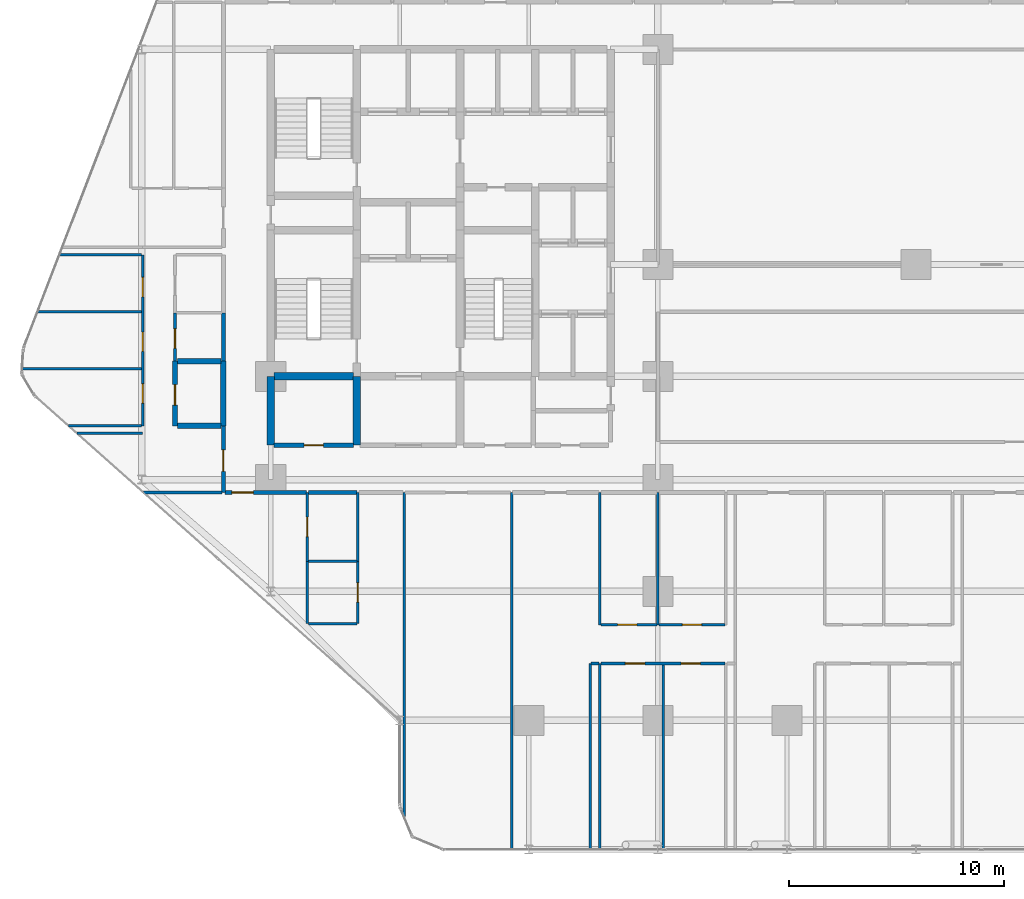
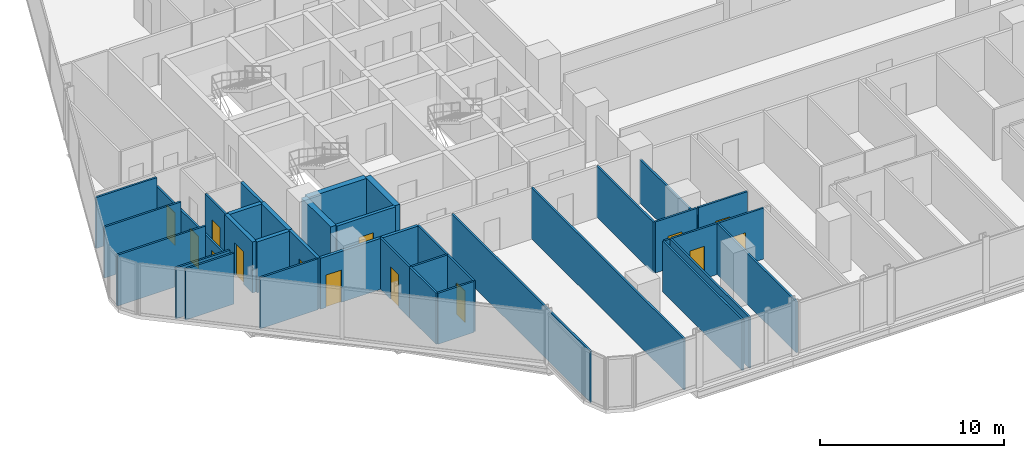
# One storey, part 26 of 33: 37 walls, 14 doors, 14 openings.
"""IFC4 building model written with IfcOpenShell, lengths in metres."""

from ifc_helpers import new_model, si_unit, direction, frame, frame_2d, origin, place, context, subcontext, project, spatial, rectangle, extrude, material, layer, layer_set, type_object, element, fill, save


model = new_model("IFC4")

# Units and contexts
model_context = context("Model", 3, precision=1e-05, world=origin(), true_north=direction((0.0, 1.0)))
body_context = subcontext(model_context, "Body", "Model", "MODEL_VIEW")
ifc_project = project(units=[si_unit("LENGTHUNIT", "METRE"), si_unit("AREAUNIT", "SQUARE_METRE"), si_unit("VOLUMEUNIT", "CUBIC_METRE"), si_unit("PLANEANGLEUNIT", "RADIAN"), si_unit("MASSUNIT", "GRAM", prefix="KILO")], contexts=[model_context])

# Site, building, storey
site_placement = place(None, origin())
site = spatial("IfcSite", under=ifc_project, at=site_placement, CompositionType="ELEMENT")
building_placement = place(site_placement, origin())
building = spatial("IfcBuilding", under=site, at=building_placement, Name="Keshet Zoharim Tower", CompositionType="ELEMENT")
storey_placement = place(building_placement, frame((0.0, 0.0, 42.5)))
storey = spatial("IfcBuildingStorey", under=building, at=storey_placement, Name="L09", CompositionType="ELEMENT", Elevation=42.5)

# Walls
ifc_material_1 = material(Name="Concrete C60/75", Category="concrete")
ifc_layer_1 = layer(ifc_material_1, 0.35009765625)
ifc_layer_set_1 = layer_set([ifc_layer_1], Name="Concrete C60/75")
wall_type_1 = type_object("IfcWallType", Name="WL-CORE-350", PredefinedType="SHEAR", material=ifc_layer_set_1)
for number, where, z_axis, x_axis, name in (
    (1, (15.0, 19.5, 0.0), (0.0, 0.0, 1.0), (0.0, 1.0, 0.0), "L09 Core Shear Wall 013"),
    (2, (19.0, 19.5, 0.0), (0.0, 0.0, 1.0), (0.0, 1.0, 0.0), "L09 Core Shear Wall 021"),
):
    element("IfcWall", number, at=place(storey_placement, frame(where, z_axis=z_axis, x_axis=x_axis)), inside=storey, type_object=wall_type_1, Name=name, PredefinedType="SHEAR", context=body_context, shape_type="SweptSolid", body=[
        extrude(rectangle(XDim=3.199951171875, YDim=0.35009765625, at=frame_2d((1.60009765625, 0.0))), origin(), (0.0, 0.0, 1.0), 3.385009765625),
    ])
wall_1_placement = place(storey_placement, frame((15.159912109375, 22.699951171875, 0.0), z_axis=(0.0, 0.0, 1.0), x_axis=(1.0, 0.0, 0.0)))
element("IfcWall", 3, at=wall_1_placement, inside=storey, type_object=wall_type_1, Name="L09 Core Shear Wall 169", PredefinedType="SHEAR", context=body_context, shape_type="SweptSolid", body=[
    extrude(rectangle(XDim=3.68017578125, YDim=0.35009765625, at=frame_2d((1.840087890625, 0.0))), origin(), (0.0, 0.0, 1.0), 3.385009765625),
])

# Wall, opening, door
ifc_material_2 = material(Name="Gypsum Plasterboard", Category="gypsum")
ifc_layer_2 = layer(ifc_material_2, 0.179931640625)
ifc_layer_set_2 = layer_set([ifc_layer_2], Name="Gypsum Plasterboard")
wall_type_2 = type_object("IfcWallType", Name="WL-CORR-180", PredefinedType="STANDARD", material=ifc_layer_set_2)
wall_2_placement = place(storey_placement, frame((12.800048828125, 17.300048828125, 0.0), z_axis=(0.0, 0.0, 1.0), x_axis=(0.0, 1.0, 0.0)))
wall_2 = element("IfcWall", 4, at=wall_2_placement, inside=storey, type_object=wall_type_2, Name="L09 Interior Wall 007", PredefinedType="STANDARD", context=body_context, shape_type="SweptSolid", body=[
    extrude(rectangle(XDim=3.099853515625, YDim=0.179931640625, at=frame_2d((1.5498046875, 0.0))), origin(), (0.0, 0.0, 1.0), 3.385009765625),
])
opening_1_placement = place(wall_2_placement, frame((0.97802734375, 0.0, 0.0)))
opening_1 = element("IfcOpeningElement", 5, at=opening_1_placement, cuts=wall_2, Name="Opening D-F310", PredefinedType="OPENING", context=body_context, shape_type="SweptSolid", body=[
    extrude(rectangle(XDim=1.0, YDim=2.14990234375, at=frame_2d((0.5, 1.074951171875))), frame((0.0, 0.10009765625, 0.0), z_axis=(0.0, -1.0, 0.0), x_axis=(1.0, 0.0, 0.0)), (0.0, 0.0, 1.0), 0.199951171875),
])
ifc_material_3 = material(Name="Hardwood Timber", Category="wood")
door_type_1 = type_object("IfcDoorType", Name="DR-FD30-100", OperationType="NOTDEFINED", PredefinedType="DOOR", material=ifc_material_3)
door_1_placement = place(opening_1_placement, origin())
door_1 = element("IfcDoor", 6, at=door_1_placement, inside=storey, type_object=door_type_1, Name="Apartment 0910 Entrance Door", OperationType="SINGLE_SWING_RIGHT", OverallHeight=2.14990234375, OverallWidth=1.0, PredefinedType="DOOR", context=body_context, shape_type="SweptSolid", body=[
    extrude(rectangle(XDim=1.0, YDim=2.14990234375, at=frame_2d((0.5, 1.074951171875))), frame((0.0, 0.02490234375, 0.0), z_axis=(0.0, -1.0, 0.0), x_axis=(1.0, 0.0, 0.0)), (0.0, 0.0, 1.0), 0.050048828125),
])
fill(opening_1, door_1)

# Wall
wall_3_placement = place(storey_placement, frame((12.800048828125, 23.4208984375, 0.0), z_axis=(0.0, 0.0, 1.0), x_axis=(0.0, 1.0, 0.0)))
element("IfcWall", 7, at=wall_3_placement, inside=storey, type_object=wall_type_2, Name="L09 Interior Wall 009", PredefinedType="STANDARD", context=body_context, shape_type="SweptSolid", body=[
    extrude(rectangle(XDim=2.22607421875, YDim=0.179931640625, at=frame_2d((1.113037109375, 0.0))), origin(), (0.0, 0.0, 1.0), 3.385009765625),
])

# Wall, opening, door
wall_4_placement = place(storey_placement, frame((12.875, 17.300048828125, 0.0), z_axis=(0.0, 0.0, 1.0), x_axis=(1.0, 0.0, 0.0)))
wall_4 = element("IfcWall", 8, at=wall_4_placement, inside=storey, type_object=wall_type_2, Name="L09 Interior Wall 142", PredefinedType="STANDARD", context=body_context, shape_type="SweptSolid", body=[
    extrude(rectangle(XDim=3.780029296875, YDim=0.179931640625, at=frame_2d((1.89013671875, 0.0))), origin(), (0.0, 0.0, 1.0), 3.385009765625),
])
opening_2_placement = place(wall_4_placement, frame((0.31689453125, 0.0, 0.0)))
opening_2 = element("IfcOpeningElement", 9, at=opening_2_placement, cuts=wall_4, Name="Opening D-F310", PredefinedType="OPENING", context=body_context, shape_type="SweptSolid", body=[
    extrude(rectangle(XDim=1.0, YDim=2.14990234375, at=frame_2d((0.5, 1.074951171875))), frame((0.0, 0.10009765625, 0.0), z_axis=(0.0, -1.0, 0.0), x_axis=(1.0, 0.0, 0.0)), (0.0, 0.0, 1.0), 0.199951171875),
])
door_2_placement = place(opening_2_placement, origin())
door_2 = element("IfcDoor", 10, at=door_2_placement, inside=storey, type_object=door_type_1, Name="Apartment 0901 Entrance Door", OperationType="SINGLE_SWING_RIGHT", OverallHeight=2.14990234375, OverallWidth=1.0, PredefinedType="DOOR", context=body_context, shape_type="SweptSolid", body=[
    extrude(rectangle(XDim=1.0, YDim=2.14990234375, at=frame_2d((0.5, 1.074951171875))), frame((0.0, 0.02490234375, 0.0), z_axis=(0.0, -1.0, 0.0), x_axis=(1.0, 0.0, 0.0)), (0.0, 0.0, 1.0), 0.050048828125),
])
fill(opening_2, door_2)

# Wall
wall_5_placement = place(storey_placement, frame((16.7451171875, 17.300048828125, 0.0), z_axis=(0.0, 0.0, 1.0), x_axis=(1.0, 0.0, 0.0)))
element("IfcWall", 11, at=wall_5_placement, inside=storey, type_object=wall_type_2, Name="L09 Interior Wall 143", PredefinedType="STANDARD", context=body_context, shape_type="SweptSolid", body=[
    extrude(rectangle(XDim=2.259765625, YDim=0.179931640625, at=frame_2d((1.1298828125, 0.0))), origin(), (0.0, 0.0, 1.0), 3.385009765625),
])

# Wall, opening, door
ifc_material_4 = material(Name="Concrete C50/60", Category="concrete")
ifc_layer_3 = layer(ifc_material_4, 0.199951171875)
ifc_layer_set_3 = layer_set([ifc_layer_3], Name="Concrete C50/60")
wall_type_3 = type_object("IfcWallType", Name="WL-FIRE-200", PredefinedType="STANDARD", material=ifc_layer_set_3)
wall_6_placement = place(storey_placement, frame((15.159912109375, 19.5, 0.0), z_axis=(0.0, 0.0, 1.0), x_axis=(1.0, 0.0, 0.0)))
wall_6 = element("IfcWall", 12, at=wall_6_placement, inside=storey, type_object=wall_type_3, Name="L09 Interior Wall 160", PredefinedType="STANDARD", context=body_context, shape_type="SweptSolid", body=[
    extrude(rectangle(XDim=3.68017578125, YDim=0.199951171875, at=frame_2d((1.840087890625, 0.0))), origin(), (0.0, 0.0, 1.0), 3.385009765625),
])
opening_3_placement = place(wall_6_placement, frame((1.389892578125, 0.0, 0.0)))
opening_3 = element("IfcOpeningElement", 13, at=opening_3_placement, cuts=wall_6, Name="Opening D-F690", PredefinedType="OPENING", context=body_context, shape_type="SweptSolid", body=[
    extrude(rectangle(XDim=0.89990234375, YDim=2.14990234375, at=frame_2d((0.449951171875, 1.074951171875))), frame((0.0, 0.10986328125, 0.0), z_axis=(0.0, -1.0, 0.0), x_axis=(1.0, 0.0, 0.0)), (0.0, 0.0, 1.0), 0.219970703125),
])
door_type_2 = type_object("IfcDoorType", Name="DR-FD60-090", OperationType="NOTDEFINED", PredefinedType="DOOR", material=ifc_material_3)
door_3_placement = place(opening_3_placement, origin())
door_3 = element("IfcDoor", 14, at=door_3_placement, inside=storey, type_object=door_type_2, Name="L09 Refuse Store Door", OperationType="SINGLE_SWING_RIGHT", OverallHeight=2.14990234375, OverallWidth=0.89990234375, PredefinedType="DOOR", context=body_context, shape_type="SweptSolid", body=[
    extrude(rectangle(XDim=0.89990234375, YDim=2.14990234375, at=frame_2d((0.449951171875, 1.074951171875))), frame((0.0, 0.02490234375, 0.0), z_axis=(0.0, -1.0, 0.0), x_axis=(1.0, 0.0, 0.0)), (0.0, 0.0, 1.0), 0.050048828125),
])
fill(opening_3, door_3)

ifc_layer_4 = layer(ifc_material_4, 0.25)
ifc_layer_set_4 = layer_set([ifc_layer_4], Name="Concrete C50/60")
wall_type_4 = type_object("IfcWallType", Name="WL-MAMAD-250", PredefinedType="STANDARD", material=ifc_layer_set_4)
wall_7_placement = place(storey_placement, frame((10.550048828125, 20.39990234375, 0.0), z_axis=(0.0, 0.0, 1.0), x_axis=(0.0, 1.0, 0.0)))
wall_7 = element("IfcWall", 15, at=wall_7_placement, inside=storey, type_object=wall_type_4, Name="L09 Interior Wall 004", PredefinedType="STANDARD", context=body_context, shape_type="SweptSolid", body=[
    extrude(rectangle(XDim=3.02099609375, YDim=0.25, at=frame_2d((1.510498046875, 0.0))), origin(), (0.0, 0.0, 1.0), 3.385009765625),
])
opening_4_placement = place(wall_7_placement, frame((0.964111328125, 0.0, 0.0)))
opening_4 = element("IfcOpeningElement", 16, at=opening_4_placement, cuts=wall_7, Name="Opening D-F695", PredefinedType="OPENING", context=body_context, shape_type="SweptSolid", body=[
    extrude(rectangle(XDim=0.949951171875, YDim=2.14990234375, at=frame_2d((0.47509765625, 1.074951171875))), frame((0.0, 0.135009765625, 0.0), z_axis=(0.0, -1.0, 0.0), x_axis=(1.0, 0.0, 0.0)), (0.0, 0.0, 1.0), 0.27001953125),
])
door_type_3 = type_object("IfcDoorType", Name="DR-FD60-095", OperationType="NOTDEFINED", PredefinedType="DOOR", material=ifc_material_3)
door_4_placement = place(opening_4_placement, origin())
door_4 = element("IfcDoor", 17, at=door_4_placement, inside=storey, type_object=door_type_3, Name="Apartment 0910 Study and Shelter Room Door", OperationType="SINGLE_SWING_LEFT", OverallHeight=2.14990234375, OverallWidth=0.949951171875, PredefinedType="DOOR", context=body_context, shape_type="SweptSolid", body=[
    extrude(rectangle(XDim=0.949951171875, YDim=2.14990234375, at=frame_2d((0.47509765625, 1.074951171875))), frame((0.0, 0.02490234375, 0.0), z_axis=(0.0, -1.0, 0.0), x_axis=(1.0, 0.0, 0.0)), (0.0, 0.0, 1.0), 0.050048828125),
])
fill(opening_4, door_4)

# Walls
wall_8_placement = place(storey_placement, frame((12.800048828125, 20.39990234375, 0.0), z_axis=(0.0, 0.0, 1.0), x_axis=(0.0, 1.0, 0.0)))
element("IfcWall", 18, at=wall_8_placement, inside=storey, type_object=wall_type_4, Name="L09 Interior Wall 008", PredefinedType="STANDARD", context=body_context, shape_type="SweptSolid", body=[
    extrude(rectangle(XDim=3.02099609375, YDim=0.25, at=frame_2d((1.510498046875, 0.0))), origin(), (0.0, 0.0, 1.0), 3.385009765625),
])
for number, where, z_axis, x_axis, name in (
    (19, (10.659912109375, 20.39990234375, 0.0), (0.0, 0.0, 1.0), (1.0, 0.0, 0.0), "L09 Interior Wall 167"),
    (20, (10.659912109375, 23.39990234375, 0.0), (0.0, 0.0, 1.0), (1.0, 0.0, 0.0), "L09 Interior Wall 174"),
):
    element("IfcWall", number, at=place(storey_placement, frame(where, z_axis=z_axis, x_axis=x_axis)), inside=storey, type_object=wall_type_4, Name=name, PredefinedType="STANDARD", context=body_context, shape_type="SweptSolid", body=[
        extrude(rectangle(XDim=2.030029296875, YDim=0.25, at=frame_2d((1.01513671875, 0.0))), origin(), (0.0, 0.0, 1.0), 3.385009765625),
    ])

# Wall, openings, doors
ifc_layer_5 = layer(ifc_material_2, 0.1201171875)
ifc_layer_set_5 = layer_set([ifc_layer_5], Name="Gypsum Plasterboard")
wall_type_5 = type_object("IfcWallType", Name="WL-PART-120", PredefinedType="PARTITIONING", material=ifc_layer_set_5)
wall_9_placement = place(storey_placement, frame((9.050048828125, 20.39990234375, 0.0), z_axis=(0.0, 0.0, 1.0), x_axis=(0.0, 1.0, 0.0)))
wall_9 = element("IfcWall", 21, at=wall_9_placement, inside=storey, type_object=wall_type_5, Name="L09 Interior Wall 002", PredefinedType="PARTITIONING", context=body_context, shape_type="SweptSolid", body=[
    extrude(rectangle(XDim=7.9501953125, YDim=0.1201171875, at=frame_2d((3.97509765625, 0.0))), origin(), (0.0, 0.0, 1.0), 2.784912109375),
])
opening_5_placement = place(wall_9_placement, frame((1.050048828125, 0.0, 0.0)))
opening_5 = element("IfcOpeningElement", 22, at=opening_5_placement, cuts=wall_9, Name="Opening D-IN90", PredefinedType="OPENING", context=body_context, shape_type="SweptSolid", body=[
    extrude(rectangle(XDim=0.89990234375, YDim=2.14990234375, at=frame_2d((0.449951171875, 1.074951171875))), frame((0.0, 0.070068359375, 0.0), z_axis=(0.0, -1.0, 0.0), x_axis=(1.0, 0.0, 0.0)), (0.0, 0.0, 1.0), 0.14013671875),
])
opening_6_placement = place(wall_9_placement, frame((3.455078125, 0.0, 0.0)))
opening_6 = element("IfcOpeningElement", 23, at=opening_6_placement, cuts=wall_9, Name="Opening D-IN90", PredefinedType="OPENING", context=body_context, shape_type="SweptSolid", body=[
    extrude(rectangle(XDim=0.89990234375, YDim=2.14990234375, at=frame_2d((0.449951171875, 1.074951171875))), frame((0.0, 0.070068359375, 0.0), z_axis=(0.0, -1.0, 0.0), x_axis=(1.0, 0.0, 0.0)), (0.0, 0.0, 1.0), 0.14013671875),
])
opening_7_placement = place(wall_9_placement, frame((6.0, 0.0, 0.0)))
opening_7 = element("IfcOpeningElement", 24, at=opening_7_placement, cuts=wall_9, Name="Opening D-IN90", PredefinedType="OPENING", context=body_context, shape_type="SweptSolid", body=[
    extrude(rectangle(XDim=0.89990234375, YDim=2.14990234375, at=frame_2d((0.449951171875, 1.074951171875))), frame((0.0, 0.070068359375, 0.0), z_axis=(0.0, -1.0, 0.0), x_axis=(1.0, 0.0, 0.0)), (0.0, 0.0, 1.0), 0.14013671875),
])
door_type_4 = type_object("IfcDoorType", Name="DR-INT-090", OperationType="NOTDEFINED", PredefinedType="DOOR", material=ifc_material_3)
door_5_placement = place(opening_5_placement, origin())
door_5 = element("IfcDoor", 25, at=door_5_placement, inside=storey, type_object=door_type_4, Name="Apartment 0910 Bedroom 1 Door", OperationType="SINGLE_SWING_RIGHT", OverallHeight=2.14990234375, OverallWidth=0.89990234375, PredefinedType="DOOR", context=body_context, shape_type="SweptSolid", body=[
    extrude(rectangle(XDim=0.89990234375, YDim=2.14990234375, at=frame_2d((0.449951171875, 1.074951171875))), frame((0.0, 0.02490234375, 0.0), z_axis=(0.0, -1.0, 0.0), x_axis=(1.0, 0.0, 0.0)), (0.0, 0.0, 1.0), 0.050048828125),
])
fill(opening_5, door_5)
door_6_placement = place(opening_6_placement, origin())
door_6 = element("IfcDoor", 26, at=door_6_placement, inside=storey, type_object=door_type_4, Name="Apartment 0910 Bedroom 2 Door", OperationType="SINGLE_SWING_LEFT", OverallHeight=2.14990234375, OverallWidth=0.89990234375, PredefinedType="DOOR", context=body_context, shape_type="SweptSolid", body=[
    extrude(rectangle(XDim=0.89990234375, YDim=2.14990234375, at=frame_2d((0.449951171875, 1.074951171875))), frame((0.0, 0.02490234375, 0.0), z_axis=(0.0, -1.0, 0.0), x_axis=(1.0, 0.0, 0.0)), (0.0, 0.0, 1.0), 0.050048828125),
])
fill(opening_6, door_6)
door_7_placement = place(opening_7_placement, origin())
door_7 = element("IfcDoor", 27, at=door_7_placement, inside=storey, type_object=door_type_4, Name="Apartment 0910 Bedroom 3 Door", OperationType="SINGLE_SWING_RIGHT", OverallHeight=2.14990234375, OverallWidth=0.89990234375, PredefinedType="DOOR", context=body_context, shape_type="SweptSolid", body=[
    extrude(rectangle(XDim=0.89990234375, YDim=2.14990234375, at=frame_2d((0.449951171875, 1.074951171875))), frame((0.0, 0.02490234375, 0.0), z_axis=(0.0, -1.0, 0.0), x_axis=(1.0, 0.0, 0.0)), (0.0, 0.0, 1.0), 0.050048828125),
])
fill(opening_7, door_7)

# Wall, opening, door
wall_10_placement = place(storey_placement, frame((16.699951171875, 14.10009765625, 0.0), z_axis=(0.0, 0.0, 1.0), x_axis=(0.0, 1.0, 0.0)))
wall_10 = element("IfcWall", 28, at=wall_10_placement, inside=storey, type_object=wall_type_5, Name="L09 Interior Wall 018", PredefinedType="PARTITIONING", context=body_context, shape_type="SweptSolid", body=[
    extrude(rectangle(XDim=3.199951171875, YDim=0.1201171875, at=frame_2d((1.60009765625, 0.0))), origin(), (0.0, 0.0, 1.0), 3.385009765625),
])
opening_8_placement = place(wall_10_placement, frame((1.14990234375, 0.0, 0.0)))
opening_8 = element("IfcOpeningElement", 29, at=opening_8_placement, cuts=wall_10, Name="Opening D-IN90", PredefinedType="OPENING", context=body_context, shape_type="SweptSolid", body=[
    extrude(rectangle(XDim=0.89990234375, YDim=2.14990234375, at=frame_2d((0.449951171875, 1.074951171875))), frame((0.0, 0.070068359375, 0.0), z_axis=(0.0, -1.0, 0.0), x_axis=(1.0, 0.0, 0.0)), (0.0, 0.0, 1.0), 0.14013671875),
])
door_8_placement = place(opening_8_placement, origin())
door_8 = element("IfcDoor", 30, at=door_8_placement, inside=storey, type_object=door_type_4, Name="Apartment 0901 Kitchenette Door", OperationType="SINGLE_SWING_LEFT", OverallHeight=2.14990234375, OverallWidth=0.89990234375, PredefinedType="DOOR", context=body_context, shape_type="SweptSolid", body=[
    extrude(rectangle(XDim=0.89990234375, YDim=2.14990234375, at=frame_2d((0.449951171875, 1.074951171875))), frame((0.0, 0.02490234375, 0.0), z_axis=(0.0, -1.0, 0.0), x_axis=(1.0, 0.0, 0.0)), (0.0, 0.0, 1.0), 0.050048828125),
])
fill(opening_8, door_8)

# Walls
wall_11_placement = place(storey_placement, frame((19.050048828125, 14.10009765625, 0.0), z_axis=(0.0, 0.0, 1.0), x_axis=(0.0, 1.0, 0.0)))
element("IfcWall", 31, at=wall_11_placement, inside=storey, type_object=wall_type_5, Name="L09 Interior Wall 027", PredefinedType="PARTITIONING", context=body_context, shape_type="SweptSolid", body=[
    extrude(rectangle(XDim=3.199951171875, YDim=0.1201171875, at=frame_2d((1.60009765625, 0.0))), origin(), (0.0, 0.0, 1.0), 3.385009765625),
])
wall_12_placement = place(storey_placement, frame((21.199951171875, 2.22705078125, 0.0), z_axis=(0.0, 0.0, 1.0), x_axis=(0.0, 1.0, 0.0)))
element("IfcWall", 32, at=wall_12_placement, inside=storey, type_object=wall_type_5, Name="L09 Interior Wall 030", PredefinedType="PARTITIONING", context=body_context, shape_type="SweptSolid", body=[
    extrude(rectangle(XDim=15.072998046875, YDim=0.1201171875, at=frame_2d((7.53662109375, 0.0))), origin(), (0.0, 0.0, 1.0), 3.385009765625),
])
wall_13_placement = place(storey_placement, frame((26.199951171875, 0.7099609375, 0.0), z_axis=(0.0, 0.0, 1.0), x_axis=(0.0, 1.0, 0.0)))
element("IfcWall", 33, at=wall_13_placement, inside=storey, type_object=wall_type_5, Name="L09 Interior Wall 044", PredefinedType="PARTITIONING", context=body_context, shape_type="SweptSolid", body=[
    extrude(rectangle(XDim=16.590087890625, YDim=0.1201171875, at=frame_2d((8.294921875, 0.0))), origin(), (0.0, 0.0, 1.0), 3.385009765625),
])
for number, where, z_axis, x_axis, name in (
    (34, (29.85009765625, 0.7099609375, 0.0), (0.0, 0.0, 1.0), (0.0, 1.0, 0.0), "L09 Interior Wall 058"),
    (35, (30.300048828125, 0.7099609375, 0.0), (0.0, 0.0, 1.0), (0.0, 1.0, 0.0), "L09 Interior Wall 059"),
):
    element("IfcWall", number, at=place(storey_placement, frame(where, z_axis=z_axis, x_axis=x_axis)), inside=storey, type_object=wall_type_5, Name=name, PredefinedType="PARTITIONING", context=body_context, shape_type="SweptSolid", body=[
        extrude(rectangle(XDim=8.64013671875, YDim=0.1201171875, at=frame_2d((4.320068359375, 0.0))), origin(), (0.0, 0.0, 1.0), 3.385009765625),
    ])
wall_14_placement = place(storey_placement, frame((30.300048828125, 11.14990234375, 0.0), z_axis=(0.0, 0.0, 1.0), x_axis=(0.0, 1.0, 0.0)))
element("IfcWall", 36, at=wall_14_placement, inside=storey, type_object=wall_type_5, Name="L09 Interior Wall 060", PredefinedType="PARTITIONING", context=body_context, shape_type="SweptSolid", body=[
    extrude(rectangle(XDim=6.150146484375, YDim=0.1201171875, at=frame_2d((3.0751953125, 0.0))), origin(), (0.0, 0.0, 1.0), 3.385009765625),
])
wall_15_placement = place(storey_placement, frame((33.25, 0.7099609375, 0.0), z_axis=(0.0, 0.0, 1.0), x_axis=(0.0, 1.0, 0.0)))
element("IfcWall", 37, at=wall_15_placement, inside=storey, type_object=wall_type_5, Name="L09 Interior Wall 073", PredefinedType="PARTITIONING", context=body_context, shape_type="SweptSolid", body=[
    extrude(rectangle(XDim=8.64013671875, YDim=0.1201171875, at=frame_2d((4.320068359375, 0.0))), origin(), (0.0, 0.0, 1.0), 3.385009765625),
])
wall_16_placement = place(storey_placement, frame((29.89501953125, 9.35009765625, 0.0), z_axis=(0.0, 0.0, 1.0), x_axis=(1.0, 0.0, 0.0)))
element("IfcWall", 38, at=wall_16_placement, inside=storey, type_object=wall_type_5, Name="L09 Interior Wall 120", PredefinedType="PARTITIONING", context=body_context, shape_type="SweptSolid", body=[
    extrude(rectangle(XDim=0.35986328125, YDim=0.1201171875, at=frame_2d((0.179931640625, 0.0))), origin(), (0.0, 0.0, 1.0), 3.385009765625),
])

# Wall, openings, doors
wall_17_placement = place(storey_placement, frame((30.344970703125, 9.35009765625, 0.0), z_axis=(0.0, 0.0, 1.0), x_axis=(1.0, 0.0, 0.0)))
wall_17 = element("IfcWall", 39, at=wall_17_placement, inside=storey, type_object=wall_type_5, Name="L09 Interior Wall 121", PredefinedType="PARTITIONING", context=body_context, shape_type="SweptSolid", body=[
    extrude(rectangle(XDim=5.780029296875, YDim=0.1201171875, at=frame_2d((2.89013671875, 0.0))), origin(), (0.0, 0.0, 1.0), 3.385009765625),
])
opening_9_placement = place(wall_17_placement, frame((1.14697265625, 0.0, 0.0)))
opening_9 = element("IfcOpeningElement", 40, at=opening_9_placement, cuts=wall_17, Name="Opening D-IN90", PredefinedType="OPENING", context=body_context, shape_type="SweptSolid", body=[
    extrude(rectangle(XDim=0.89990234375, YDim=2.14990234375, at=frame_2d((0.449951171875, 1.074951171875))), frame((0.0, 0.070068359375, 0.0), z_axis=(0.0, -1.0, 0.0), x_axis=(1.0, 0.0, 0.0)), (0.0, 0.0, 1.0), 0.14013671875),
])
opening_10_placement = place(wall_17_placement, frame((3.73291015625, 0.0, 0.0)))
opening_10 = element("IfcOpeningElement", 41, at=opening_10_placement, cuts=wall_17, Name="Opening D-IN90", PredefinedType="OPENING", context=body_context, shape_type="SweptSolid", body=[
    extrude(rectangle(XDim=0.89990234375, YDim=2.14990234375, at=frame_2d((0.449951171875, 1.074951171875))), frame((0.0, 0.070068359375, 0.0), z_axis=(0.0, -1.0, 0.0), x_axis=(1.0, 0.0, 0.0)), (0.0, 0.0, 1.0), 0.14013671875),
])
door_9_placement = place(opening_9_placement, origin())
door_9 = element("IfcDoor", 42, at=door_9_placement, inside=storey, type_object=door_type_4, Name="Apartment 0902 Bedroom 1 Door", OperationType="SINGLE_SWING_RIGHT", OverallHeight=2.14990234375, OverallWidth=0.89990234375, PredefinedType="DOOR", context=body_context, shape_type="SweptSolid", body=[
    extrude(rectangle(XDim=0.89990234375, YDim=2.14990234375, at=frame_2d((0.449951171875, 1.074951171875))), frame((0.0, 0.02490234375, 0.0), z_axis=(0.0, -1.0, 0.0), x_axis=(1.0, 0.0, 0.0)), (0.0, 0.0, 1.0), 0.050048828125),
])
fill(opening_9, door_9)
door_10_placement = place(opening_10_placement, origin())
door_10 = element("IfcDoor", 43, at=door_10_placement, inside=storey, type_object=door_type_4, Name="Apartment 0902 Bedroom 2 Door", OperationType="SINGLE_SWING_LEFT", OverallHeight=2.14990234375, OverallWidth=0.89990234375, PredefinedType="DOOR", context=body_context, shape_type="SweptSolid", body=[
    extrude(rectangle(XDim=0.89990234375, YDim=2.14990234375, at=frame_2d((0.449951171875, 1.074951171875))), frame((0.0, 0.02490234375, 0.0), z_axis=(0.0, -1.0, 0.0), x_axis=(1.0, 0.0, 0.0)), (0.0, 0.0, 1.0), 0.050048828125),
])
fill(opening_10, door_10)

# Wall, opening, door
wall_18_placement = place(storey_placement, frame((30.344970703125, 11.14990234375, 0.0), z_axis=(0.0, 0.0, 1.0), x_axis=(1.0, 0.0, 0.0)))
wall_18 = element("IfcWall", 44, at=wall_18_placement, inside=storey, type_object=wall_type_5, Name="L09 Interior Wall 131", PredefinedType="PARTITIONING", context=body_context, shape_type="SweptSolid", body=[
    extrude(rectangle(XDim=2.610107421875, YDim=0.1201171875, at=frame_2d((1.30517578125, 0.0))), origin(), (0.0, 0.0, 1.0), 3.385009765625),
])
opening_11_placement = place(wall_18_placement, frame((0.782958984375, 0.0, 0.0)))
opening_11 = element("IfcOpeningElement", 45, at=opening_11_placement, cuts=wall_18, Name="Opening D-IN90", PredefinedType="OPENING", context=body_context, shape_type="SweptSolid", body=[
    extrude(rectangle(XDim=0.89990234375, YDim=2.14990234375, at=frame_2d((0.449951171875, 1.074951171875))), frame((0.0, 0.070068359375, 0.0), z_axis=(0.0, -1.0, 0.0), x_axis=(1.0, 0.0, 0.0)), (0.0, 0.0, 1.0), 0.14013671875),
])
door_11_placement = place(opening_11_placement, origin())
door_11 = element("IfcDoor", 46, at=door_11_placement, inside=storey, type_object=door_type_4, Name="Apartment 0902 Kitchen Door", OperationType="SINGLE_SWING_RIGHT", OverallHeight=2.14990234375, OverallWidth=0.89990234375, PredefinedType="DOOR", context=body_context, shape_type="SweptSolid", body=[
    extrude(rectangle(XDim=0.89990234375, YDim=2.14990234375, at=frame_2d((0.449951171875, 1.074951171875))), frame((0.0, 0.02490234375, 0.0), z_axis=(0.0, -1.0, 0.0), x_axis=(1.0, 0.0, 0.0)), (0.0, 0.0, 1.0), 0.050048828125),
])
fill(opening_11, door_11)

# Walls
wall_19_placement = place(storey_placement, frame((9.0849609375, 17.300048828125, 0.0), z_axis=(0.0, 0.0, 1.0), x_axis=(1.0, 0.0, 0.0)))
element("IfcWall", 47, at=wall_19_placement, inside=storey, type_object=wall_type_5, Name="L09 Interior Wall 141", PredefinedType="PARTITIONING", context=body_context, shape_type="SweptSolid", body=[
    extrude(rectangle(XDim=3.64013671875, YDim=0.1201171875, at=frame_2d((1.820068359375, 0.0))), origin(), (0.0, 0.0, 1.0), 3.385009765625),
])
wall_20_placement = place(storey_placement, frame((5.990966796875, 20.050048828125, 0.0), z_axis=(0.0, 0.0, 1.0), x_axis=(1.0, 0.0, 0.0)))
element("IfcWall", 48, at=wall_20_placement, inside=storey, type_object=wall_type_5, Name="L09 Interior Wall 165", PredefinedType="PARTITIONING", context=body_context, shape_type="SweptSolid", body=[
    extrude(rectangle(XDim=3.0390625, YDim=0.1201171875, at=frame_2d((1.51953125, 0.0))), origin(), (0.0, 0.0, 1.0), 3.385009765625),
])
wall_21_placement = place(storey_placement, frame((5.597900390625, 20.39990234375, 0.0), z_axis=(0.0, 0.0, 1.0), x_axis=(1.0, 0.0, 0.0)))
element("IfcWall", 49, at=wall_21_placement, inside=storey, type_object=wall_type_5, Name="L09 Interior Wall 166", PredefinedType="PARTITIONING", context=body_context, shape_type="SweptSolid", body=[
    extrude(rectangle(XDim=3.38720703125, YDim=0.1201171875, at=frame_2d((1.693603515625, 0.0))), origin(), (0.0, 0.0, 1.0), 3.385009765625),
])
wall_22_placement = place(storey_placement, frame((3.446044921875, 23.050048828125, 0.0), z_axis=(0.0, 0.0, 1.0), x_axis=(1.0, 0.0, 0.0)))
element("IfcWall", 50, at=wall_22_placement, inside=storey, type_object=wall_type_5, Name="L09 Interior Wall 173", PredefinedType="PARTITIONING", context=body_context, shape_type="SweptSolid", body=[
    extrude(rectangle(XDim=5.5390625, YDim=0.1201171875, at=frame_2d((2.76953125, 0.0))), origin(), (0.0, 0.0, 1.0), 3.385009765625),
])
wall_23_placement = place(storey_placement, frame((4.1640625, 25.699951171875, 0.0), z_axis=(0.0, 0.0, 1.0), x_axis=(1.0, 0.0, 0.0)))
element("IfcWall", 51, at=wall_23_placement, inside=storey, type_object=wall_type_5, Name="L09 Interior Wall 177", PredefinedType="PARTITIONING", context=body_context, shape_type="SweptSolid", body=[
    extrude(rectangle(XDim=4.821044921875, YDim=0.1201171875, at=frame_2d((2.41064453125, 0.0))), origin(), (0.0, 0.0, 1.0), 3.385009765625),
])
wall_24_placement = place(storey_placement, frame((5.18310546875, 28.35009765625, 0.0), z_axis=(0.0, 0.0, 1.0), x_axis=(1.0, 0.0, 0.0)))
element("IfcWall", 52, at=wall_24_placement, inside=storey, type_object=wall_type_5, Name="L09 Interior Wall 181", PredefinedType="PARTITIONING", context=body_context, shape_type="SweptSolid", body=[
    extrude(rectangle(XDim=3.802001953125, YDim=0.1201171875, at=frame_2d((1.90087890625, 0.0))), origin(), (0.0, 0.0, 1.0), 3.385009765625),
])

# Wall, opening, door
ifc_layer_6 = layer(ifc_material_2, 0.1201171875)
ifc_layer_set_6 = layer_set([ifc_layer_6], Name="Gypsum Plasterboard")
wall_type_6 = type_object("IfcWallType", Name="WL-WET-120", PredefinedType="PARTITIONING", material=ifc_layer_set_6)
wall_25_placement = place(storey_placement, frame((10.550048828125, 23.4208984375, 0.0), z_axis=(0.0, 0.0, 1.0), x_axis=(0.0, 1.0, 0.0)))
wall_25 = element("IfcWall", 53, at=wall_25_placement, inside=storey, type_object=wall_type_6, Name="L09 Interior Wall 005", PredefinedType="PARTITIONING", context=body_context, shape_type="SweptSolid", body=[
    extrude(rectangle(XDim=2.22607421875, YDim=0.1201171875, at=frame_2d((1.113037109375, 0.0))), origin(), (0.0, 0.0, 1.0), 3.385009765625),
])
opening_12_placement = place(wall_25_placement, frame((0.583984375, 0.0, 0.0)))
opening_12 = element("IfcOpeningElement", 54, at=opening_12_placement, cuts=wall_25, Name="Opening D-WT90", PredefinedType="OPENING", context=body_context, shape_type="SweptSolid", body=[
    extrude(rectangle(XDim=0.89990234375, YDim=2.10009765625, at=frame_2d((0.449951171875, 1.050048828125))), frame((0.0, 0.070068359375, 0.0), z_axis=(0.0, -1.0, 0.0), x_axis=(1.0, 0.0, 0.0)), (0.0, 0.0, 1.0), 0.14013671875),
])
door_type_5 = type_object("IfcDoorType", Name="DR-WET-090", OperationType="NOTDEFINED", PredefinedType="DOOR", material=ifc_material_3)
door_12_placement = place(opening_12_placement, origin())
door_12 = element("IfcDoor", 55, at=door_12_placement, inside=storey, type_object=door_type_5, Name="Apartment 0910 Bathroom Door", OperationType="SINGLE_SWING_RIGHT", OverallHeight=2.10009765625, OverallWidth=0.89990234375, PredefinedType="DOOR", context=body_context, shape_type="SweptSolid", body=[
    extrude(rectangle(XDim=0.89990234375, YDim=2.10009765625, at=frame_2d((0.449951171875, 1.050048828125))), frame((0.0, 0.02490234375, 0.0), z_axis=(0.0, -1.0, 0.0), x_axis=(1.0, 0.0, 0.0)), (0.0, 0.0, 1.0), 0.050048828125),
])
fill(opening_12, door_12)

# Wall
wall_26_placement = place(storey_placement, frame((16.699951171875, 11.199951171875, 0.0), z_axis=(0.0, 0.0, 1.0), x_axis=(0.0, 1.0, 0.0)))
element("IfcWall", 56, at=wall_26_placement, inside=storey, type_object=wall_type_6, Name="L09 Interior Wall 017", PredefinedType="PARTITIONING", context=body_context, shape_type="SweptSolid", body=[
    extrude(rectangle(XDim=2.900146484375, YDim=0.1201171875, at=frame_2d((1.4501953125, 0.0))), origin(), (0.0, 0.0, 1.0), 3.385009765625),
])

# Wall, opening, door
wall_27_placement = place(storey_placement, frame((19.050048828125, 11.199951171875, 0.0), z_axis=(0.0, 0.0, 1.0), x_axis=(0.0, 1.0, 0.0)))
wall_27 = element("IfcWall", 57, at=wall_27_placement, inside=storey, type_object=wall_type_6, Name="L09 Interior Wall 026", PredefinedType="PARTITIONING", context=body_context, shape_type="SweptSolid", body=[
    extrude(rectangle(XDim=2.900146484375, YDim=0.1201171875, at=frame_2d((1.4501953125, 0.0))), origin(), (0.0, 0.0, 1.0), 3.385009765625),
])
opening_13_placement = place(wall_27_placement, frame((1.0, 0.0, 0.0)))
opening_13 = element("IfcOpeningElement", 58, at=opening_13_placement, cuts=wall_27, Name="Opening D-WT90", PredefinedType="OPENING", context=body_context, shape_type="SweptSolid", body=[
    extrude(rectangle(XDim=0.89990234375, YDim=2.10009765625, at=frame_2d((0.449951171875, 1.050048828125))), frame((0.0, 0.070068359375, 0.0), z_axis=(0.0, -1.0, 0.0), x_axis=(1.0, 0.0, 0.0)), (0.0, 0.0, 1.0), 0.14013671875),
])
door_13_placement = place(opening_13_placement, origin())
door_13 = element("IfcDoor", 59, at=door_13_placement, inside=storey, type_object=door_type_5, Name="Apartment 0901 Bathroom Door", OperationType="SINGLE_SWING_LEFT", OverallHeight=2.10009765625, OverallWidth=0.89990234375, PredefinedType="DOOR", context=body_context, shape_type="SweptSolid", body=[
    extrude(rectangle(XDim=0.89990234375, YDim=2.10009765625, at=frame_2d((0.449951171875, 1.050048828125))), frame((0.0, 0.02490234375, 0.0), z_axis=(0.0, -1.0, 0.0), x_axis=(1.0, 0.0, 0.0)), (0.0, 0.0, 1.0), 0.050048828125),
])
fill(opening_13, door_13)

# Wall
wall_28_placement = place(storey_placement, frame((33.0, 11.14990234375, 0.0), z_axis=(0.0, 0.0, 1.0), x_axis=(0.0, 1.0, 0.0)))
element("IfcWall", 60, at=wall_28_placement, inside=storey, type_object=wall_type_6, Name="L09 Interior Wall 070", PredefinedType="PARTITIONING", context=body_context, shape_type="SweptSolid", body=[
    extrude(rectangle(XDim=6.150146484375, YDim=0.1201171875, at=frame_2d((3.0751953125, 0.0))), origin(), (0.0, 0.0, 1.0), 2.885009765625),
])

# Wall, opening, door
wall_29_placement = place(storey_placement, frame((33.044921875, 11.14990234375, 0.0), z_axis=(0.0, 0.0, 1.0), x_axis=(1.0, 0.0, 0.0)))
wall_29 = element("IfcWall", 61, at=wall_29_placement, inside=storey, type_object=wall_type_6, Name="L09 Interior Wall 132", PredefinedType="PARTITIONING", context=body_context, shape_type="SweptSolid", body=[
    extrude(rectangle(XDim=3.080078125, YDim=0.1201171875, at=frame_2d((1.5400390625, 0.0))), origin(), (0.0, 0.0, 1.0), 3.385009765625),
])
opening_14_placement = place(wall_29_placement, frame((1.090087890625, 0.0, 0.0)))
opening_14 = element("IfcOpeningElement", 62, at=opening_14_placement, cuts=wall_29, Name="Opening D-WT90", PredefinedType="OPENING", context=body_context, shape_type="SweptSolid", body=[
    extrude(rectangle(XDim=0.89990234375, YDim=2.10009765625, at=frame_2d((0.449951171875, 1.050048828125))), frame((0.0, 0.070068359375, 0.0), z_axis=(0.0, -1.0, 0.0), x_axis=(1.0, 0.0, 0.0)), (0.0, 0.0, 1.0), 0.14013671875),
])
door_14_placement = place(opening_14_placement, origin())
door_14 = element("IfcDoor", 63, at=door_14_placement, inside=storey, type_object=door_type_5, Name="Apartment 0902 Bathroom Door", OperationType="SINGLE_SWING_LEFT", OverallHeight=2.10009765625, OverallWidth=0.89990234375, PredefinedType="DOOR", context=body_context, shape_type="SweptSolid", body=[
    extrude(rectangle(XDim=0.89990234375, YDim=2.10009765625, at=frame_2d((0.449951171875, 1.050048828125))), frame((0.0, 0.02490234375, 0.0), z_axis=(0.0, -1.0, 0.0), x_axis=(1.0, 0.0, 0.0)), (0.0, 0.0, 1.0), 0.050048828125),
])
fill(opening_14, door_14)

# Walls
for number, where, z_axis, x_axis, name in (
    (64, (16.7451171875, 11.199951171875, 0.0), (0.0, 0.0, 1.0), (1.0, 0.0, 0.0), "L09 Interior Wall 139"),
    (65, (16.7451171875, 14.10009765625, 0.0), (0.0, 0.0, 1.0), (1.0, 0.0, 0.0), "L09 Interior Wall 140"),
):
    element("IfcWall", number, at=place(storey_placement, frame(where, z_axis=z_axis, x_axis=x_axis)), inside=storey, type_object=wall_type_6, Name=name, PredefinedType="PARTITIONING", context=body_context, shape_type="SweptSolid", body=[
        extrude(rectangle(XDim=2.259765625, YDim=0.1201171875, at=frame_2d((1.1298828125, 0.0))), origin(), (0.0, 0.0, 1.0), 3.385009765625),
    ])

save(model, "model.ifc")
